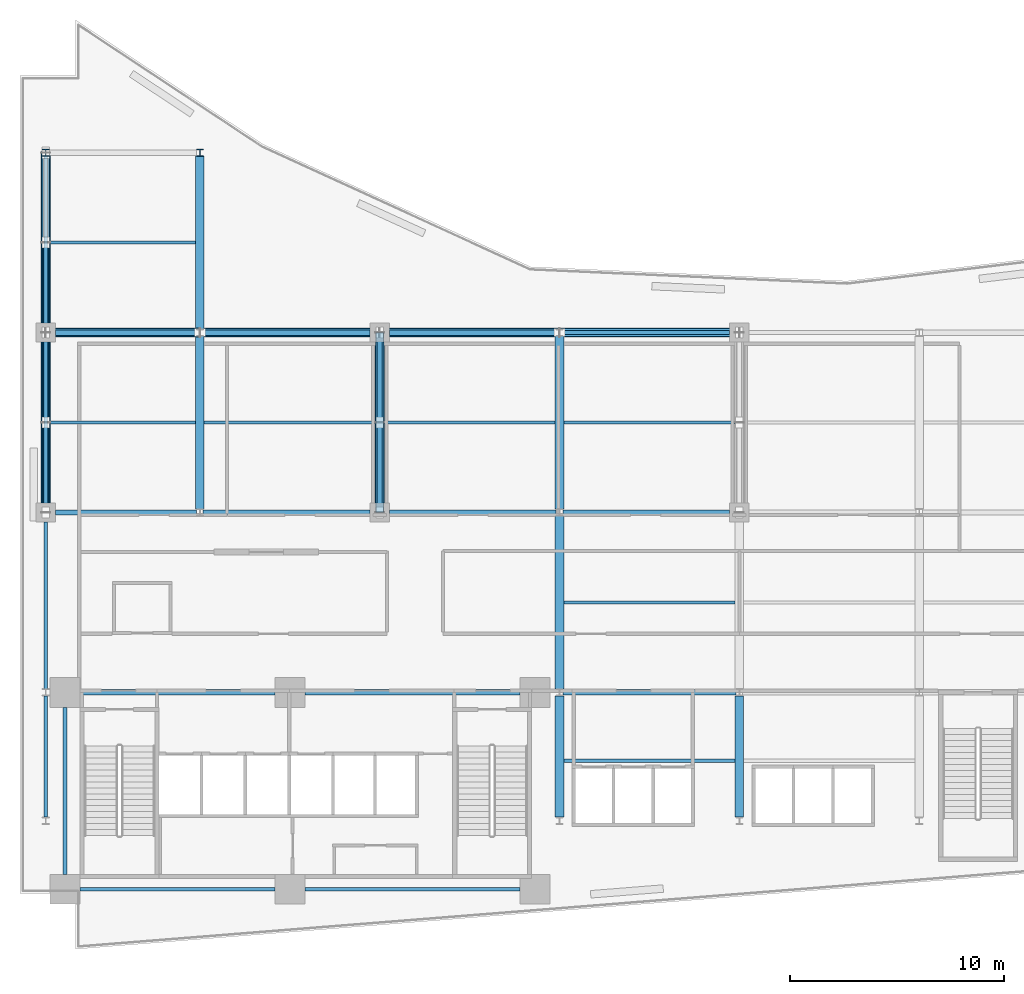
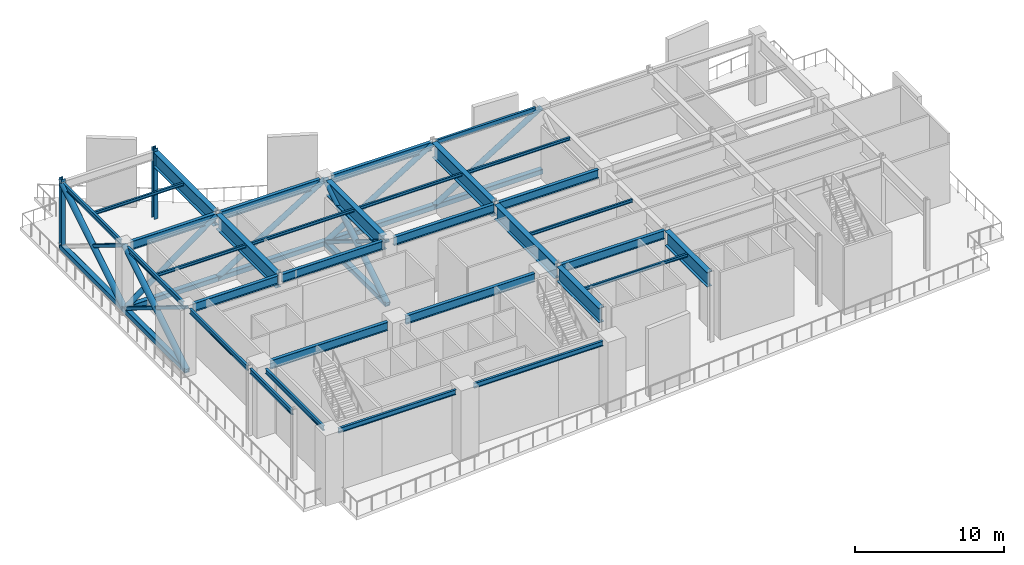
# One storey, part 3 of 14: 32 beams, 19 members, 2 columns.
"""IFC4 building model written with IfcOpenShell, lengths in metres."""

from ifc_helpers import new_model, si_unit, direction, frame, origin, origin_2d, place, context, subcontext, project, spatial, hollow_rectangle, hollow_circle, i_section, extrude, material, material_profile, profile_set, type_object, element, save


model = new_model("IFC4")

# Units and contexts
model_context = context("Model", 3, precision=1e-05, world=origin(), true_north=direction((0.0, 1.0)))
body_context = subcontext(model_context, "Body", "Model", "MODEL_VIEW")
ifc_project = project(units=[si_unit("LENGTHUNIT", "METRE"), si_unit("AREAUNIT", "SQUARE_METRE"), si_unit("VOLUMEUNIT", "CUBIC_METRE"), si_unit("PLANEANGLEUNIT", "RADIAN"), si_unit("MASSUNIT", "GRAM", prefix="KILO")], contexts=[model_context])

# Site, building, storey
site_placement = place(None, origin())
site = spatial("IfcSite", under=ifc_project, at=site_placement, CompositionType="ELEMENT")
building_placement = place(site_placement, origin())
building = spatial("IfcBuilding", under=site, at=building_placement, Name="Varnakote Quay Hospital", CompositionType="ELEMENT")
storey_placement = place(building_placement, frame((0.0, 0.0, 97.550048828125)))
storey = spatial("IfcBuildingStorey", under=building, at=storey_placement, Name="L24", CompositionType="ELEMENT", Elevation=97.550048828125)

# Columns
ifc_material_1 = material(Name="Structural steel AS/NZS 3679.1 Grade 350 L0 (fy 340 MPa)", Category="steel")
ifc_material_profile_1 = material_profile(ifc_material_1, i_section(OverallWidth=0.31103515625, OverallDepth=0.326904296875, WebThickness=0.015625, FlangeThickness=0.02490234375, FilletRadius=0.0166015625, at=origin_2d()), Name="310UC158")
ifc_profile_set_1 = profile_set([ifc_material_profile_1], Name="Structural steel AS/NZS 3679.1 Grade 350 L0 (fy 340 MPa)")
column_type = type_object("IfcColumnType", Name="COL-STL-310UC158", PredefinedType="COLUMN", material=ifc_profile_set_1)
for number, where, z_axis, x_axis, name in (
    (1, (1.199951171875, 37.199951171875, 0.0), (0.0, 0.0, 1.0), (1.0, 0.0, 0.0), "L24 Structural Column C-1-37"),
    (2, (8.39990234375, 37.199951171875, 0.0), (0.0, 0.0, 1.0), (1.0, 0.0, 0.0), "L24 Structural Column C-8-37"),
):
    element("IfcColumn", number, at=place(storey_placement, frame(where, z_axis=z_axis, x_axis=x_axis)), inside=storey, type_object=column_type, Name=name, PredefinedType="COLUMN", context=body_context, shape_type="SweptSolid", body=[
        extrude(i_section(OverallWidth=0.31103515625, OverallDepth=0.326904296875, WebThickness=0.015625, FlangeThickness=0.02490234375, FilletRadius=0.0166015625, at=origin_2d()), origin(), (0.0, 0.0, 1.0), 5.800048828125),
    ])

# Beams
ifc_material_2 = material(Name="Structural steel AS/NZS 3678 Grade 350 (fy 340 MPa)", Category="steel")
ifc_material_profile_2 = material_profile(ifc_material_2, i_section(OverallWidth=0.39990234375, OverallDepth=1.2099609375, WebThickness=0.01611328125, FlangeThickness=0.0400390625, at=origin_2d()), Name="1200WB392")
ifc_profile_set_2 = profile_set([ifc_material_profile_2], Name="Structural steel AS/NZS 3678 Grade 350 (fy 340 MPa)")
beam_type_1 = type_object("IfcBeamType", Name="BM-STL-1200WB392", PredefinedType="BEAM", material=ifc_profile_set_2)
beam_1_placement = place(storey_placement, frame((8.39990234375, 20.5634765625, 4.954833984375), z_axis=(0.0, 1.0, 0.0), x_axis=(-1.0, 0.0, 0.0)))
element("IfcBeam", 3, at=beam_1_placement, inside=storey, type_object=beam_type_1, Name="L24 Primary Tie Beam", PredefinedType="BEAM", context=body_context, shape_type="SweptSolid", body=[
    extrude(i_section(OverallWidth=0.39990234375, OverallDepth=1.2099609375, WebThickness=0.01611328125, FlangeThickness=0.0400390625, at=origin_2d()), origin(), (0.0, 0.0, 1.0), 8.072998046875),
])
beam_2_placement = place(storey_placement, frame((8.39990234375, 28.96337890625, 4.954833984375), z_axis=(0.0, 1.0, 0.0), x_axis=(-1.0, 0.0, 0.0)))
element("IfcBeam", 4, at=beam_2_placement, inside=storey, type_object=beam_type_1, Name="L24 Primary Tie Beam", PredefinedType="BEAM", context=body_context, shape_type="SweptSolid", body=[
    extrude(i_section(OverallWidth=0.39990234375, OverallDepth=1.2099609375, WebThickness=0.01611328125, FlangeThickness=0.0400390625, at=origin_2d()), origin(), (0.0, 0.0, 1.0), 8.0732421875),
])
beam_3_placement = place(storey_placement, frame((16.800048828125, 20.85009765625, 4.954833984375), z_axis=(0.0, 1.0, 0.0), x_axis=(-1.0, 0.0, 0.0)))
element("IfcBeam", 5, at=beam_3_placement, inside=storey, type_object=beam_type_1, Name="L24 Primary Tie Beam", PredefinedType="BEAM", context=body_context, shape_type="SweptSolid", body=[
    extrude(i_section(OverallWidth=0.39990234375, OverallDepth=1.2099609375, WebThickness=0.01611328125, FlangeThickness=0.0400390625, at=origin_2d()), origin(), (0.0, 0.0, 1.0), 7.5),
])
beam_4_placement = place(storey_placement, frame((25.199951171875, 6.16357421875, 4.954833984375), z_axis=(0.0, 1.0, 0.0), x_axis=(-1.0, 0.0, 0.0)))
element("IfcBeam", 6, at=beam_4_placement, inside=storey, type_object=beam_type_1, Name="L24 Primary Tie Beam", PredefinedType="BEAM", context=body_context, shape_type="SweptSolid", body=[
    extrude(i_section(OverallWidth=0.39990234375, OverallDepth=1.2099609375, WebThickness=0.01611328125, FlangeThickness=0.0400390625, at=origin_2d()), origin(), (0.0, 0.0, 1.0), 5.6728515625),
])
for number, where, z_axis, x_axis, name in (
    (7, (25.199951171875, 12.16357421875, 4.954833984375), (0.0, 1.0, 0.0), (-1.0, 0.0, 0.0), "L24 Primary Tie Beam"),
    (8, (25.199951171875, 20.5634765625, 4.954833984375), (0.0, 1.0, 0.0), (-1.0, 0.0, 0.0), "L24 Primary Tie Beam"),
):
    element("IfcBeam", number, at=place(storey_placement, frame(where, z_axis=z_axis, x_axis=x_axis)), inside=storey, type_object=beam_type_1, Name=name, PredefinedType="BEAM", context=body_context, shape_type="SweptSolid", body=[
        extrude(i_section(OverallWidth=0.39990234375, OverallDepth=1.2099609375, WebThickness=0.01611328125, FlangeThickness=0.0400390625, at=origin_2d()), origin(), (0.0, 0.0, 1.0), 8.072998046875),
    ])
beam_5_placement = place(storey_placement, frame((33.60009765625, 6.16357421875, 4.954833984375), z_axis=(0.0, 1.0, 0.0), x_axis=(-1.0, 0.0, 0.0)))
element("IfcBeam", 9, at=beam_5_placement, inside=storey, type_object=beam_type_1, Name="L24 Primary Tie Beam", PredefinedType="BEAM", context=body_context, shape_type="SweptSolid", body=[
    extrude(i_section(OverallWidth=0.39990234375, OverallDepth=1.2099609375, WebThickness=0.01611328125, FlangeThickness=0.0400390625, at=origin_2d()), origin(), (0.0, 0.0, 1.0), 5.6728515625),
])
ifc_material_3 = material(Name="Structural steel AS/NZS 3678 Grade 350 (fy 340 MPa)", Category="steel")
ifc_material_profile_3 = material_profile(ifc_material_3, i_section(OverallWidth=0.25, OverallDepth=0.699951171875, WebThickness=0.010009765625, FlangeThickness=0.02001953125, at=origin_2d()), Name="700WB130")
ifc_profile_set_3 = profile_set([ifc_material_profile_3], Name="Structural steel AS/NZS 3678 Grade 350 (fy 340 MPa)")
beam_type_2 = type_object("IfcBeamType", Name="BM-STL-700WB130", PredefinedType="BEAM", material=ifc_profile_set_3)
beam_6_placement = place(storey_placement, frame((2.800048828125, 12.0, 5.2099609375), z_axis=(1.0, 0.0, 0.0), x_axis=(0.0, 1.0, 0.0)))
element("IfcBeam", 10, at=beam_6_placement, inside=storey, type_object=beam_type_2, Name="L24 Primary Floor Beam", PredefinedType="BEAM", context=body_context, shape_type="SweptSolid", body=[
    extrude(i_section(OverallWidth=0.25, OverallDepth=0.699951171875, WebThickness=0.010009765625, FlangeThickness=0.02001953125, at=origin_2d()), origin(), (0.0, 0.0, 1.0), 9.119873046875),
])
beam_7_placement = place(storey_placement, frame((13.320068359375, 12.0, 5.2099609375), z_axis=(1.0, 0.0, 0.0), x_axis=(0.0, 1.0, 0.0)))
element("IfcBeam", 11, at=beam_7_placement, inside=storey, type_object=beam_type_2, Name="L24 Primary Floor Beam", PredefinedType="BEAM", context=body_context, shape_type="SweptSolid", body=[
    extrude(i_section(OverallWidth=0.25, OverallDepth=0.699951171875, WebThickness=0.010009765625, FlangeThickness=0.02001953125, at=origin_2d()), origin(), (0.0, 0.0, 1.0), 10.030029296875),
])
beam_8_placement = place(storey_placement, frame((25.35546875, 12.0, 5.2099609375), z_axis=(1.0, 0.0, 0.0), x_axis=(0.0, 1.0, 0.0)))
element("IfcBeam", 12, at=beam_8_placement, inside=storey, type_object=beam_type_2, Name="L24 Primary Floor Beam", PredefinedType="BEAM", context=body_context, shape_type="SweptSolid", body=[
    extrude(i_section(OverallWidth=0.25, OverallDepth=0.699951171875, WebThickness=0.010009765625, FlangeThickness=0.02001953125, at=origin_2d()), origin(), (0.0, 0.0, 1.0), 8.089111328125),
])
beam_9_placement = place(storey_placement, frame((1.64990234375, 20.39990234375, 5.2099609375), z_axis=(1.0, 0.0, 0.0), x_axis=(0.0, 1.0, 0.0)))
element("IfcBeam", 13, at=beam_9_placement, inside=storey, type_object=beam_type_2, Name="L24 Primary Floor Beam", PredefinedType="BEAM", context=body_context, shape_type="SweptSolid", body=[
    extrude(i_section(OverallWidth=0.25, OverallDepth=0.699951171875, WebThickness=0.010009765625, FlangeThickness=0.02001953125, at=origin_2d()), origin(), (0.0, 0.0, 1.0), 6.594482421875),
])
beam_10_placement = place(storey_placement, frame((8.555419921875, 20.39990234375, 5.2099609375), z_axis=(1.0, 0.0, 0.0), x_axis=(0.0, 1.0, 0.0)))
element("IfcBeam", 14, at=beam_10_placement, inside=storey, type_object=beam_type_2, Name="L24 Primary Floor Beam", PredefinedType="BEAM", context=body_context, shape_type="SweptSolid", body=[
    extrude(i_section(OverallWidth=0.25, OverallDepth=0.699951171875, WebThickness=0.010009765625, FlangeThickness=0.02001953125, at=origin_2d()), origin(), (0.0, 0.0, 1.0), 7.794677734375),
])
for number, where, z_axis, x_axis, name in (
    (15, (17.25, 20.39990234375, 5.2099609375), (1.0, 0.0, 0.0), (0.0, 1.0, 0.0), "L24 Primary Floor Beam"),
    (16, (25.35546875, 20.39990234375, 5.2099609375), (1.0, 0.0, 0.0), (0.0, 1.0, 0.0), "L24 Primary Floor Beam"),
):
    element("IfcBeam", number, at=place(storey_placement, frame(where, z_axis=z_axis, x_axis=x_axis)), inside=storey, type_object=beam_type_2, Name=name, PredefinedType="BEAM", context=body_context, shape_type="SweptSolid", body=[
        extrude(i_section(OverallWidth=0.25, OverallDepth=0.699951171875, WebThickness=0.010009765625, FlangeThickness=0.02001953125, at=origin_2d()), origin(), (0.0, 0.0, 1.0), 7.79443359375),
    ])
beam_11_placement = place(storey_placement, frame((1.64990234375, 28.800048828125, 5.2099609375), z_axis=(1.0, 0.0, 0.0), x_axis=(0.0, 1.0, 0.0)))
element("IfcBeam", 17, at=beam_11_placement, inside=storey, type_object=beam_type_2, Name="L24 Primary Floor Beam", PredefinedType="BEAM", context=body_context, shape_type="SweptSolid", body=[
    extrude(i_section(OverallWidth=0.25, OverallDepth=0.699951171875, WebThickness=0.010009765625, FlangeThickness=0.02001953125, at=origin_2d()), origin(), (0.0, 0.0, 1.0), 6.594482421875),
])
beam_12_placement = place(storey_placement, frame((8.555419921875, 28.800048828125, 5.2099609375), z_axis=(1.0, 0.0, 0.0), x_axis=(0.0, 1.0, 0.0)))
element("IfcBeam", 18, at=beam_12_placement, inside=storey, type_object=beam_type_2, Name="L24 Primary Floor Beam", PredefinedType="BEAM", context=body_context, shape_type="SweptSolid", body=[
    extrude(i_section(OverallWidth=0.25, OverallDepth=0.699951171875, WebThickness=0.010009765625, FlangeThickness=0.02001953125, at=origin_2d()), origin(), (0.0, 0.0, 1.0), 7.794677734375),
])
beam_13_placement = place(storey_placement, frame((17.25, 28.800048828125, 5.2099609375), z_axis=(1.0, 0.0, 0.0), x_axis=(0.0, 1.0, 0.0)))
element("IfcBeam", 19, at=beam_13_placement, inside=storey, type_object=beam_type_2, Name="L24 Primary Floor Beam", PredefinedType="BEAM", context=body_context, shape_type="SweptSolid", body=[
    extrude(i_section(OverallWidth=0.25, OverallDepth=0.699951171875, WebThickness=0.010009765625, FlangeThickness=0.02001953125, at=origin_2d()), origin(), (0.0, 0.0, 1.0), 7.79443359375),
])
ifc_material_4 = material(Name="Structural steel AS/NZS 3679.1 Grade 350 L0 (fy 340 MPa)", Category="steel")
ifc_material_profile_4 = material_profile(ifc_material_4, i_section(OverallWidth=0.14599609375, OverallDepth=0.256103515625, WebThickness=0.00634765625, FlangeThickness=0.010986328125, FilletRadius=0.0087890625, at=origin_2d()), Name="250UB37.3")
ifc_profile_set_4 = profile_set([ifc_material_profile_4], Name="Structural steel AS/NZS 3679.1 Grade 350 L0 (fy 340 MPa)")
beam_type_3 = type_object("IfcBeamType", Name="JST-STL-250UB37-3", PredefinedType="JOIST", material=ifc_profile_set_4)
for number, where, z_axis, x_axis, name in (
    (20, (25.39990234375, 8.800048828125, 5.431884765625), (1.0, 0.0, 0.0), (0.0, 1.0, 0.0), "L24 Composite Floor Joist"),
    (21, (25.39990234375, 16.199951171875, 5.431884765625), (1.0, 0.0, 0.0), (0.0, 1.0, 0.0), "L24 Composite Floor Joist"),
):
    element("IfcBeam", number, at=place(storey_placement, frame(where, z_axis=z_axis, x_axis=x_axis)), inside=storey, type_object=beam_type_3, Name=name, PredefinedType="JOIST", context=body_context, shape_type="SweptSolid", body=[
        extrude(i_section(OverallWidth=0.14599609375, OverallDepth=0.256103515625, WebThickness=0.00634765625, FlangeThickness=0.010986328125, FilletRadius=0.0087890625, at=origin_2d()), origin(), (0.0, 0.0, 1.0), 8.0),
    ])
beam_14_placement = place(storey_placement, frame((1.2890625, 24.60009765625, 5.431884765625), z_axis=(1.0, 0.0, 0.0), x_axis=(0.0, 1.0, 0.0)))
element("IfcBeam", 22, at=beam_14_placement, inside=storey, type_object=beam_type_3, Name="L24 Composite Floor Joist", PredefinedType="JOIST", context=body_context, shape_type="SweptSolid", body=[
    extrude(i_section(OverallWidth=0.14599609375, OverallDepth=0.256103515625, WebThickness=0.00634765625, FlangeThickness=0.010986328125, FilletRadius=0.0087890625, at=origin_2d()), origin(), (0.0, 0.0, 1.0), 6.910888671875),
])
for number, where, z_axis, x_axis, name in (
    (23, (8.60009765625, 24.60009765625, 5.431884765625), (1.0, 0.0, 0.0), (0.0, 1.0, 0.0), "L24 Composite Floor Joist"),
    (24, (17.0, 24.60009765625, 5.431884765625), (1.0, 0.0, 0.0), (0.0, 1.0, 0.0), "L24 Composite Floor Joist"),
    (25, (25.39990234375, 24.60009765625, 5.431884765625), (1.0, 0.0, 0.0), (0.0, 1.0, 0.0), "L24 Composite Floor Joist"),
):
    element("IfcBeam", number, at=place(storey_placement, frame(where, z_axis=z_axis, x_axis=x_axis)), inside=storey, type_object=beam_type_3, Name=name, PredefinedType="JOIST", context=body_context, shape_type="SweptSolid", body=[
        extrude(i_section(OverallWidth=0.14599609375, OverallDepth=0.256103515625, WebThickness=0.00634765625, FlangeThickness=0.010986328125, FilletRadius=0.0087890625, at=origin_2d()), origin(), (0.0, 0.0, 1.0), 8.0),
    ])
beam_15_placement = place(storey_placement, frame((1.2890625, 33.0, 5.431884765625), z_axis=(1.0, 0.0, 0.0), x_axis=(0.0, 1.0, 0.0)))
element("IfcBeam", 26, at=beam_15_placement, inside=storey, type_object=beam_type_3, Name="L24 Composite Floor Joist", PredefinedType="JOIST", context=body_context, shape_type="SweptSolid", body=[
    extrude(i_section(OverallWidth=0.14599609375, OverallDepth=0.256103515625, WebThickness=0.00634765625, FlangeThickness=0.010986328125, FilletRadius=0.0087890625, at=origin_2d()), origin(), (0.0, 0.0, 1.0), 6.910888671875),
])

# Members
ifc_material_5 = material(Name="Structural steel AS/NZS 1163 Grade 350 C350L0 (fy 350 MPa)", Category="steel")
ifc_material_profile_5 = material_profile(ifc_material_5, hollow_circle(Radius=0.203125, WallThickness=0.01611328125, at=origin_2d()), Name="406.4x16.0CHS")
ifc_profile_set_5 = profile_set([ifc_material_profile_5], Name="Structural steel AS/NZS 1163 Grade 350 C350L0 (fy 350 MPa)")
member_type_1 = type_object("IfcMemberType", Name="MBR-BRC-406-4x16-0CHS", PredefinedType="BRACE", material=ifc_profile_set_5)
member_1_placement = place(storey_placement, frame((1.199951171875, 28.800048828125, 0.179931640625), z_axis=(0.810679953263, 0.0, 0.585489550186), x_axis=(0.0, 1.0, 0.0)))
element("IfcMember", 27, at=member_1_placement, inside=storey, type_object=member_type_1, Name="L24 Belt Truss Diagonal Brace", PredefinedType="BRACE", context=body_context, shape_type="SweptSolid", body=[
    extrude(hollow_circle(Radius=0.203125, WallThickness=0.01611328125, at=origin_2d()), origin(), (0.0, 0.0, 1.0), 8.88134765625),
])
member_2_placement = place(storey_placement, frame((8.39990234375, 28.800048828125, 0.179931640625), z_axis=(0.850271466459, 0.0, 0.526344405618), x_axis=(0.0, 1.0, 0.0)))
element("IfcMember", 28, at=member_2_placement, inside=storey, type_object=member_type_1, Name="L24 Belt Truss Diagonal Brace", PredefinedType="BRACE", context=body_context, shape_type="SweptSolid", body=[
    extrude(hollow_circle(Radius=0.203125, WallThickness=0.01611328125, at=origin_2d()), origin(), (0.0, 0.0, 1.0), 9.87939453125),
])
member_3_placement = place(storey_placement, frame((16.800048828125, 28.800048828125, 0.179931640625), z_axis=(0.850264620024, 0.0, 0.526355465381), x_axis=(0.0, 1.0, 0.0)))
element("IfcMember", 29, at=member_3_placement, inside=storey, type_object=member_type_1, Name="L24 Belt Truss Diagonal Brace", PredefinedType="BRACE", context=body_context, shape_type="SweptSolid", body=[
    extrude(hollow_circle(Radius=0.203125, WallThickness=0.01611328125, at=origin_2d()), origin(), (0.0, 0.0, 1.0), 9.879150390625),
])
member_4_placement = place(storey_placement, frame((25.199951171875, 28.800048828125, 0.179931640625), z_axis=(0.850271466459, 0.0, 0.526344405618), x_axis=(0.0, 1.0, 0.0)))
element("IfcMember", 30, at=member_4_placement, inside=storey, type_object=member_type_1, Name="L24 Belt Truss Diagonal Brace", PredefinedType="BRACE", context=body_context, shape_type="SweptSolid", body=[
    extrude(hollow_circle(Radius=0.203125, WallThickness=0.01611328125, at=origin_2d()), origin(), (0.0, 0.0, 1.0), 9.87939453125),
])
ifc_material_6 = material(Name="Structural steel AS/NZS 1163 Grade 350 C350L0 (fy 350 MPa)", Category="steel")
ifc_material_profile_6 = material_profile(ifc_material_6, hollow_circle(Radius=0.228515625, WallThickness=0.01611328125, at=origin_2d()), Name="457.0x16.0CHS")
ifc_profile_set_6 = profile_set([ifc_material_profile_6], Name="Structural steel AS/NZS 1163 Grade 350 C350L0 (fy 350 MPa)")
member_type_2 = type_object("IfcMemberType", Name="MBR-BRC-457-0x16-0CHS", PredefinedType="BRACE", material=ifc_profile_set_6)
member_5_placement = place(storey_placement, frame((1.199951171875, 20.39990234375, 0.179931640625), z_axis=(0.0, 0.850271466459, 0.526344405618), x_axis=(-1.0, 0.0, 0.0)))
element("IfcMember", 31, at=member_5_placement, inside=storey, type_object=member_type_2, Name="L24 Outrigger Truss Continuous Primary Diagonal Brace", PredefinedType="BRACE", context=body_context, shape_type="SweptSolid", body=[
    extrude(hollow_circle(Radius=0.228515625, WallThickness=0.01611328125, at=origin_2d()), origin(), (0.0, 0.0, 1.0), 9.87939453125),
])
member_6_placement = place(storey_placement, frame((1.199951171875, 28.800048828125, 0.179931640625), z_axis=(0.0, 0.850264620024, 0.526355465381), x_axis=(-1.0, 0.0, 0.0)))
element("IfcMember", 32, at=member_6_placement, inside=storey, type_object=member_type_2, Name="L24 Outrigger Truss Continuous Primary Diagonal Brace", PredefinedType="BRACE", context=body_context, shape_type="SweptSolid", body=[
    extrude(hollow_circle(Radius=0.228515625, WallThickness=0.01611328125, at=origin_2d()), origin(), (0.0, 0.0, 1.0), 9.879150390625),
])
member_7_placement = place(storey_placement, frame((16.800048828125, 20.39990234375, 0.179931640625), z_axis=(0.0, 0.850271466459, 0.526344405618), x_axis=(-1.0, 0.0, 0.0)))
element("IfcMember", 33, at=member_7_placement, inside=storey, type_object=member_type_2, Name="L24 Outrigger Truss Continuous Primary Diagonal Brace", PredefinedType="BRACE", context=body_context, shape_type="SweptSolid", body=[
    extrude(hollow_circle(Radius=0.228515625, WallThickness=0.01611328125, at=origin_2d()), origin(), (0.0, 0.0, 1.0), 9.87939453125),
])
ifc_material_7 = material(Name="Structural steel AS/NZS 1163 Grade 350 C350L0 (fy 350 MPa)", Category="steel")
ifc_material_profile_7 = material_profile(ifc_material_7, hollow_rectangle(XDim=0.39990234375, YDim=0.39990234375, WallThickness=0.01611328125, InnerFilletRadius=0.01611328125, OuterFilletRadius=0.031982421875, at=origin_2d()), Name="400x400x16.0SHS")
ifc_profile_set_7 = profile_set([ifc_material_profile_7], Name="Structural steel AS/NZS 1163 Grade 350 C350L0 (fy 350 MPa)")
member_type_3 = type_object("IfcMemberType", Name="MBR-CHD-400x400x16-0SHS", PredefinedType="CHORD", material=ifc_profile_set_7)
member_8_placement = place(storey_placement, frame((1.199951171875, 20.39990234375, 0.179931640625), z_axis=(0.0, 1.0, 0.0), x_axis=(-1.0, 0.0, 0.0)))
element("IfcMember", 34, at=member_8_placement, inside=storey, type_object=member_type_3, Name="L24 Outrigger Truss Bottom Chord", PredefinedType="CHORD", context=body_context, shape_type="SweptSolid", body=[
    extrude(hollow_rectangle(XDim=0.39990234375, YDim=0.39990234375, WallThickness=0.01611328125, InnerFilletRadius=0.01611328125, OuterFilletRadius=0.031982421875, at=origin_2d()), origin(), (0.0, 0.0, 1.0), 8.400146484375),
])
member_9_placement = place(storey_placement, frame((1.199951171875, 28.800048828125, 0.179931640625), z_axis=(0.0, 1.0, 0.0), x_axis=(-1.0, 0.0, 0.0)))
element("IfcMember", 35, at=member_9_placement, inside=storey, type_object=member_type_3, Name="L24 Outrigger Truss Bottom Chord", PredefinedType="CHORD", context=body_context, shape_type="SweptSolid", body=[
    extrude(hollow_rectangle(XDim=0.39990234375, YDim=0.39990234375, WallThickness=0.01611328125, InnerFilletRadius=0.01611328125, OuterFilletRadius=0.031982421875, at=origin_2d()), origin(), (0.0, 0.0, 1.0), 8.39990234375),
])
member_10_placement = place(storey_placement, frame((16.800048828125, 20.39990234375, 0.179931640625), z_axis=(0.0, 1.0, 0.0), x_axis=(-1.0, 0.0, 0.0)))
element("IfcMember", 36, at=member_10_placement, inside=storey, type_object=member_type_3, Name="L24 Outrigger Truss Bottom Chord", PredefinedType="CHORD", context=body_context, shape_type="SweptSolid", body=[
    extrude(hollow_rectangle(XDim=0.39990234375, YDim=0.39990234375, WallThickness=0.01611328125, InnerFilletRadius=0.01611328125, OuterFilletRadius=0.031982421875, at=origin_2d()), origin(), (0.0, 0.0, 1.0), 8.400146484375),
])
member_11_placement = place(storey_placement, frame((1.199951171875, 28.800048828125, 0.179931640625), z_axis=(1.0, 0.0, 0.0), x_axis=(0.0, 1.0, 0.0)))
element("IfcMember", 37, at=member_11_placement, inside=storey, type_object=member_type_3, Name="L24 Belt Truss Bottom Chord", PredefinedType="CHORD", context=body_context, shape_type="SweptSolid", body=[
    extrude(hollow_rectangle(XDim=0.39990234375, YDim=0.39990234375, WallThickness=0.01611328125, InnerFilletRadius=0.01611328125, OuterFilletRadius=0.031982421875, at=origin_2d()), origin(), (0.0, 0.0, 1.0), 7.199951171875),
])
member_12_placement = place(storey_placement, frame((8.39990234375, 28.800048828125, 0.179931640625), z_axis=(1.0, 0.0, 0.0), x_axis=(0.0, 1.0, 0.0)))
element("IfcMember", 38, at=member_12_placement, inside=storey, type_object=member_type_3, Name="L24 Belt Truss Bottom Chord", PredefinedType="CHORD", context=body_context, shape_type="SweptSolid", body=[
    extrude(hollow_rectangle(XDim=0.39990234375, YDim=0.39990234375, WallThickness=0.01611328125, InnerFilletRadius=0.01611328125, OuterFilletRadius=0.031982421875, at=origin_2d()), origin(), (0.0, 0.0, 1.0), 8.400146484375),
])
member_13_placement = place(storey_placement, frame((16.800048828125, 28.800048828125, 0.179931640625), z_axis=(1.0, 0.0, 0.0), x_axis=(0.0, 1.0, 0.0)))
element("IfcMember", 39, at=member_13_placement, inside=storey, type_object=member_type_3, Name="L24 Belt Truss Bottom Chord", PredefinedType="CHORD", context=body_context, shape_type="SweptSolid", body=[
    extrude(hollow_rectangle(XDim=0.39990234375, YDim=0.39990234375, WallThickness=0.01611328125, InnerFilletRadius=0.01611328125, OuterFilletRadius=0.031982421875, at=origin_2d()), origin(), (0.0, 0.0, 1.0), 8.39990234375),
])
member_14_placement = place(storey_placement, frame((25.199951171875, 28.800048828125, 0.179931640625), z_axis=(1.0, 0.0, 0.0), x_axis=(0.0, 1.0, 0.0)))
element("IfcMember", 40, at=member_14_placement, inside=storey, type_object=member_type_3, Name="L24 Belt Truss Bottom Chord", PredefinedType="CHORD", context=body_context, shape_type="SweptSolid", body=[
    extrude(hollow_rectangle(XDim=0.39990234375, YDim=0.39990234375, WallThickness=0.01611328125, InnerFilletRadius=0.01611328125, OuterFilletRadius=0.031982421875, at=origin_2d()), origin(), (0.0, 0.0, 1.0), 8.400146484375),
])
ifc_material_8 = material(Name="Structural steel AS/NZS 1163 Grade 350 C350L0 (fy 350 MPa)", Category="steel")
ifc_material_profile_8 = material_profile(ifc_material_8, hollow_rectangle(XDim=0.25, YDim=0.25, WallThickness=0.012451171875, InnerFilletRadius=0.012451171875, OuterFilletRadius=0.02490234375, at=origin_2d()), Name="250x250x12.5SHS")
ifc_profile_set_8 = profile_set([ifc_material_profile_8], Name="Structural steel AS/NZS 1163 Grade 350 C350L0 (fy 350 MPa)")
member_type_4 = type_object("IfcMemberType", Name="MBR-PST-250x250x12-5SHS", PredefinedType="POST", material=ifc_profile_set_8)
for number, where, z_axis, x_axis, name in (
    (41, (1.199951171875, 28.800048828125, 0.179931640625), (0.0, -0.85025356003, 0.526373331065), (1.0, 0.0, 0.0), "L24 Outrigger Truss Split Lower Counter Brace"),
    (42, (1.199951171875, 24.60009765625, 2.780029296875), (0.0, -0.850289371618, 0.526315480025), (1.0, 0.0, 0.0), "L24 Outrigger Truss Split Upper Counter Brace"),
):
    element("IfcMember", number, at=place(storey_placement, frame(where, z_axis=z_axis, x_axis=x_axis)), inside=storey, type_object=member_type_4, Name=name, PredefinedType="POST", context=body_context, shape_type="SweptSolid", body=[
        extrude(hollow_rectangle(XDim=0.25, YDim=0.25, WallThickness=0.012451171875, InnerFilletRadius=0.012451171875, OuterFilletRadius=0.02490234375, at=origin_2d()), origin(), (0.0, 0.0, 1.0), 4.939697265625),
    ])
member_15_placement = place(storey_placement, frame((1.199951171875, 33.0, 2.780029296875), z_axis=(0.0, -0.85027567993, 0.526337598999), x_axis=(1.0, 0.0, 0.0)))
element("IfcMember", 43, at=member_15_placement, inside=storey, type_object=member_type_4, Name="L24 Outrigger Truss Split Upper Counter Brace", PredefinedType="POST", context=body_context, shape_type="SweptSolid", body=[
    extrude(hollow_rectangle(XDim=0.25, YDim=0.25, WallThickness=0.012451171875, InnerFilletRadius=0.012451171875, OuterFilletRadius=0.02490234375, at=origin_2d()), origin(), (0.0, 0.0, 1.0), 4.939453125),
])
for number, where, z_axis, x_axis, name in (
    (44, (16.800048828125, 28.800048828125, 0.179931640625), (0.0, -0.85025356003, 0.526373331065), (1.0, 0.0, 0.0), "L24 Outrigger Truss Split Lower Counter Brace"),
    (45, (16.800048828125, 24.60009765625, 2.780029296875), (0.0, -0.850289371618, 0.526315480025), (1.0, 0.0, 0.0), "L24 Outrigger Truss Split Upper Counter Brace"),
):
    element("IfcMember", number, at=place(storey_placement, frame(where, z_axis=z_axis, x_axis=x_axis)), inside=storey, type_object=member_type_4, Name=name, PredefinedType="POST", context=body_context, shape_type="SweptSolid", body=[
        extrude(hollow_rectangle(XDim=0.25, YDim=0.25, WallThickness=0.012451171875, InnerFilletRadius=0.012451171875, OuterFilletRadius=0.02490234375, at=origin_2d()), origin(), (0.0, 0.0, 1.0), 4.939697265625),
    ])

# Beams
ifc_material_9 = material(Name="Structural steel AS/NZS 3679.1 Grade 350 L0 (fy 340 MPa)", Category="steel")
ifc_material_profile_9 = material_profile(ifc_material_9, i_section(OverallWidth=0.177978515625, OverallDepth=0.403076171875, WebThickness=0.007568359375, FlangeThickness=0.010986328125, FilletRadius=0.011474609375, at=origin_2d()), Name="410UB53.7")
ifc_profile_set_9 = profile_set([ifc_material_profile_9], Name="Structural steel AS/NZS 3679.1 Grade 350 L0 (fy 340 MPa)")
beam_type_4 = type_object("IfcBeamType", Name="SPN-STL-410UB53-7", PredefinedType="SPANDREL", material=ifc_profile_set_9)
beam_16_placement = place(storey_placement, frame((1.199951171875, 6.16357421875, 5.3583984375), z_axis=(0.0, 1.0, 0.0), x_axis=(-1.0, 0.0, 0.0)))
element("IfcBeam", 46, at=beam_16_placement, inside=storey, type_object=beam_type_4, Name="L24 Perimeter Spandrel Beam", PredefinedType="SPANDREL", context=body_context, shape_type="SweptSolid", body=[
    extrude(i_section(OverallWidth=0.177978515625, OverallDepth=0.403076171875, WebThickness=0.007568359375, FlangeThickness=0.010986328125, FilletRadius=0.011474609375, at=origin_2d()), origin(), (0.0, 0.0, 1.0), 5.6728515625),
])
beam_17_placement = place(storey_placement, frame((1.199951171875, 12.16357421875, 5.3583984375), z_axis=(0.0, 1.0, 0.0), x_axis=(-1.0, 0.0, 0.0)))
element("IfcBeam", 47, at=beam_17_placement, inside=storey, type_object=beam_type_4, Name="L24 Perimeter Spandrel Beam", PredefinedType="SPANDREL", context=body_context, shape_type="SweptSolid", body=[
    extrude(i_section(OverallWidth=0.177978515625, OverallDepth=0.403076171875, WebThickness=0.007568359375, FlangeThickness=0.010986328125, FilletRadius=0.011474609375, at=origin_2d()), origin(), (0.0, 0.0, 1.0), 7.786376953125),
])
beam_18_placement = place(storey_placement, frame((1.199951171875, 20.85009765625, 5.3583984375), z_axis=(0.0, 1.0, 0.0), x_axis=(-1.0, 0.0, 0.0)))
element("IfcBeam", 48, at=beam_18_placement, inside=storey, type_object=beam_type_4, Name="L24 Perimeter Spandrel Beam", PredefinedType="SPANDREL", context=body_context, shape_type="SweptSolid", body=[
    extrude(i_section(OverallWidth=0.177978515625, OverallDepth=0.403076171875, WebThickness=0.007568359375, FlangeThickness=0.010986328125, FilletRadius=0.011474609375, at=origin_2d()), origin(), (0.0, 0.0, 1.0), 7.5),
])
beam_19_placement = place(storey_placement, frame((1.199951171875, 29.25, 5.3583984375), z_axis=(0.0, 1.0, 0.0), x_axis=(-1.0, 0.0, 0.0)))
element("IfcBeam", 49, at=beam_19_placement, inside=storey, type_object=beam_type_4, Name="L24 Perimeter Spandrel Beam", PredefinedType="SPANDREL", context=body_context, shape_type="SweptSolid", body=[
    extrude(i_section(OverallWidth=0.177978515625, OverallDepth=0.403076171875, WebThickness=0.007568359375, FlangeThickness=0.010986328125, FilletRadius=0.011474609375, at=origin_2d()), origin(), (0.0, 0.0, 1.0), 7.78662109375),
])
beam_20_placement = place(storey_placement, frame((2.10009765625, 3.5, 5.3583984375), z_axis=(0.0, 1.0, 0.0), x_axis=(-1.0, 0.0, 0.0)))
element("IfcBeam", 50, at=beam_20_placement, inside=storey, type_object=beam_type_4, Name="L24 Perimeter Spandrel Beam", PredefinedType="SPANDREL", context=body_context, shape_type="SweptSolid", body=[
    extrude(i_section(OverallWidth=0.177978515625, OverallDepth=0.403076171875, WebThickness=0.007568359375, FlangeThickness=0.010986328125, FilletRadius=0.011474609375, at=origin_2d()), origin(), (0.0, 0.0, 1.0), 7.800048828125),
])
ifc_material_10 = material(Name="Structural steel AS/NZS 3679.1 Grade 350 L0 (fy 340 MPa)", Category="steel")
ifc_material_profile_10 = material_profile(ifc_material_10, i_section(OverallWidth=0.177978515625, OverallDepth=0.406005859375, WebThickness=0.0078125, FlangeThickness=0.0126953125, FilletRadius=0.011474609375, at=origin_2d()), Name="410UB59.7")
ifc_profile_set_10 = profile_set([ifc_material_profile_10], Name="Structural steel AS/NZS 3679.1 Grade 350 L0 (fy 340 MPa)")
beam_type_5 = type_object("IfcBeamType", Name="SPN-STL-410UB59-7", PredefinedType="SPANDREL", material=ifc_profile_set_10)
beam_21_placement = place(storey_placement, frame((2.800048828125, 2.800048828125, 5.35693359375), z_axis=(1.0, 0.0, 0.0), x_axis=(0.0, 1.0, 0.0)))
element("IfcBeam", 51, at=beam_21_placement, inside=storey, type_object=beam_type_5, Name="L24 Perimeter Spandrel Beam", PredefinedType="SPANDREL", context=body_context, shape_type="SweptSolid", body=[
    extrude(i_section(OverallWidth=0.177978515625, OverallDepth=0.406005859375, WebThickness=0.0078125, FlangeThickness=0.0126953125, FilletRadius=0.011474609375, at=origin_2d()), origin(), (0.0, 0.0, 1.0), 9.119873046875),
])
beam_22_placement = place(storey_placement, frame((13.320068359375, 2.800048828125, 5.35693359375), z_axis=(1.0, 0.0, 0.0), x_axis=(0.0, 1.0, 0.0)))
element("IfcBeam", 52, at=beam_22_placement, inside=storey, type_object=beam_type_5, Name="L24 Perimeter Spandrel Beam", PredefinedType="SPANDREL", context=body_context, shape_type="SweptSolid", body=[
    extrude(i_section(OverallWidth=0.177978515625, OverallDepth=0.406005859375, WebThickness=0.0078125, FlangeThickness=0.0126953125, FilletRadius=0.011474609375, at=origin_2d()), origin(), (0.0, 0.0, 1.0), 10.030029296875),
])
beam_23_placement = place(storey_placement, frame((25.35546875, 28.800048828125, 5.35693359375), z_axis=(1.0, 0.0, 0.0), x_axis=(0.0, 1.0, 0.0)))
element("IfcBeam", 53, at=beam_23_placement, inside=storey, type_object=beam_type_5, Name="L24 Perimeter Spandrel Beam", PredefinedType="SPANDREL", context=body_context, shape_type="SweptSolid", body=[
    extrude(i_section(OverallWidth=0.177978515625, OverallDepth=0.406005859375, WebThickness=0.0078125, FlangeThickness=0.0126953125, FilletRadius=0.011474609375, at=origin_2d()), origin(), (0.0, 0.0, 1.0), 7.79443359375),
])

save(model, "model.ifc")
